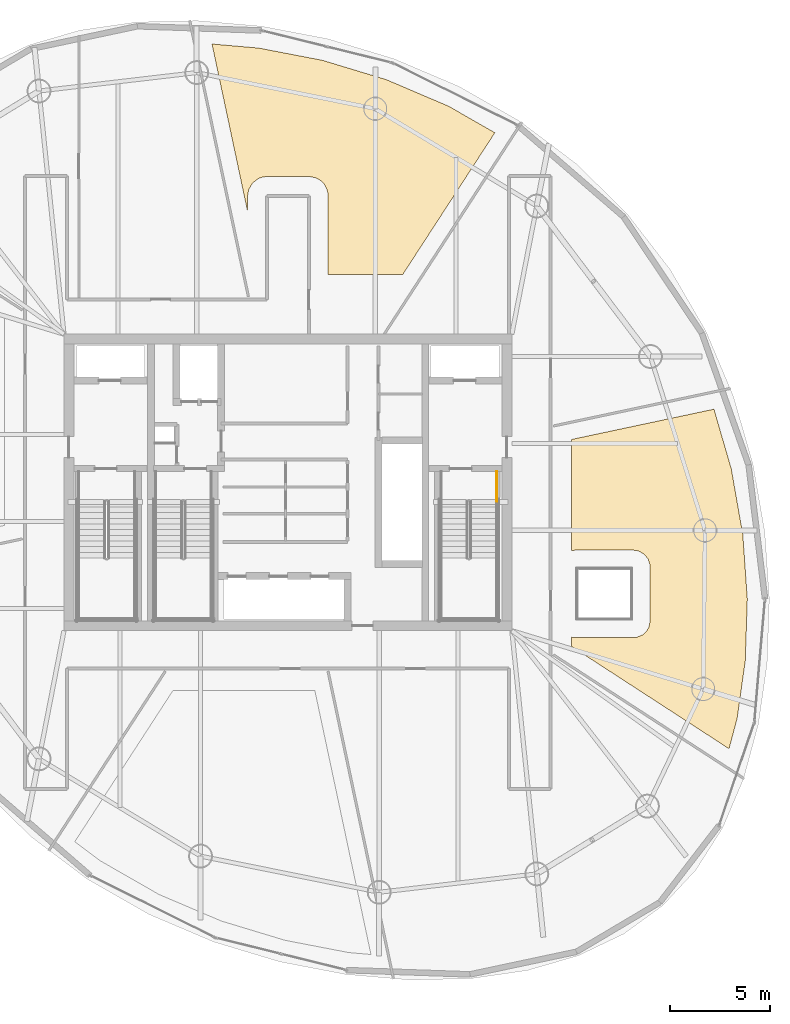
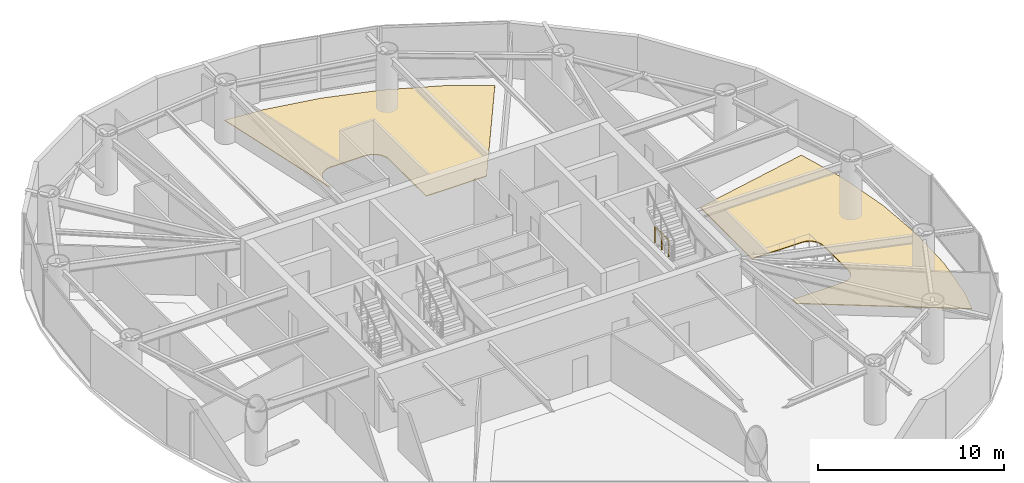
# One storey, part 22 of 22: 2 coverings, 1 railing.
"""IFC4 building model written with IfcOpenShell, lengths in metres."""

from ifc_helpers import new_model, si_unit, direction, frame, origin, origin_2d, place, context, subcontext, project, spatial, polyline, circle, outline, extrude, material, layer, layer_set, type_object, element, save


model = new_model("IFC4")

# Units and contexts
model_context = context("Model", 3, precision=1e-05, world=origin(), true_north=direction((0.0, 1.0)))
body_context = subcontext(model_context, "Body", "Model", "MODEL_VIEW")
ifc_project = project(units=[si_unit("LENGTHUNIT", "METRE"), si_unit("AREAUNIT", "SQUARE_METRE"), si_unit("VOLUMEUNIT", "CUBIC_METRE"), si_unit("PLANEANGLEUNIT", "RADIAN"), si_unit("MASSUNIT", "GRAM", prefix="KILO")], contexts=[model_context])

# Site, building, storey
site_placement = place(None, origin())
site = spatial("IfcSite", under=ifc_project, at=site_placement, CompositionType="ELEMENT")
building_placement = place(site_placement, origin())
building = spatial("IfcBuilding", under=site, at=building_placement, Name="Bramvorn Convention Spire", CompositionType="ELEMENT")
storey_placement = place(building_placement, frame((0.0, 0.0, 225.10009765625)))
storey = spatial("IfcBuildingStorey", under=building, at=storey_placement, Name="L57", CompositionType="ELEMENT", Elevation=225.10009765625)

# Coverings
ifc_material_1 = material(Name="Calcium-Sulphate Raised Access Office Floor", Category="steel")
ifc_layer = layer(ifc_material_1, 0.044921875)
ifc_layer_set = layer_set([ifc_layer], Name="Calcium-Sulphate Raised Access Office Floor - FLR-RAISED-45")
covering_type = type_object("IfcCoveringType", Name="FLR-RAISED-45", PredefinedType="FLOORING", material=ifc_layer_set)
covering_1_placement = place(storey_placement, origin())
element("IfcCovering", 1, at=covering_1_placement, inside=storey, type_object=covering_type, Name="L57 Partner Office Chamber 2 2 raised floor finish", PredefinedType="FLOORING", context=body_context, shape_type="SweptSolid", body=[
    extrude(outline(polyline([(35.97998046875, 39.591552734375), (35.98095703125, 40.441650390625), (36.034912109375, 40.72119140625), (36.227294921875, 41.047119140625), (36.530029296875, 41.274169921875), (36.72021484375, 41.34228515625), (36.949951171875, 41.3701171875), (39.050048828125, 41.3701171875), (39.38232421875, 41.311279296875), (39.623046875, 41.1826171875), (39.825439453125, 40.982421875), (39.961181640625, 40.732421875), (40.01025390625, 40.53662109375), (40.02001953125, 36.449951171875), (43.772705078125, 36.449951171875), (48.395751953125, 43.568603515625), (46.072021484375, 44.900390625), (42.94384765625, 46.234619140625), (39.73779296875, 47.205078125), (36.542236328125, 47.8203125), (34.187255859375, 48.026123046875), (35.97998046875, 39.591552734375)])), origin(), (0.0, 0.0, 1.0), 0.044921875),
])
covering_2_placement = place(storey_placement, origin())
element("IfcCovering", 2, at=covering_2_placement, inside=storey, type_object=covering_type, Name="L57 Deposition Meeting Room 2 8 raised floor finish", PredefinedType="FLOORING", context=body_context, shape_type="SweptSolid", body=[
    extrude(outline(polyline([(52.25, 17.759521484375), (60.159423828125, 12.623046875), (60.563232421875, 14.12890625), (60.9755859375, 17.026123046875), (61.078857421875, 20.13525390625), (60.852294921875, 23.38134765625), (60.27392578125, 26.680908203125), (59.402587890625, 29.680419921875), (52.25, 28.159912109375), (52.25, 22.5751953125), (52.449951171875, 22.60009765625), (55.35009765625, 22.60009765625), (55.5966796875, 22.5634765625), (55.88916015625, 22.406982421875), (56.099609375, 22.150634765625), (56.19580078125, 21.833251953125), (56.199951171875, 19.050048828125), (56.13525390625, 18.724609375), (56.007080078125, 18.5107421875), (55.822265625, 18.34326171875), (55.515869140625, 18.21630859375), (52.449951171875, 18.199951171875), (52.25, 18.224853515625), (52.25, 17.759521484375)])), origin(), (0.0, 0.0, 1.0), 0.044921875),
])

# Railing
ifc_material_2 = material(Name="Painted Steel Balustrade & Guardrail", Category="steel")
railing_type = type_object("IfcRailingType", Name="RL-STAIR-GUARD-1100", PredefinedType="GUARDRAIL", material=ifc_material_2)
railing_placement = place(storey_placement, frame((48.5, 26.550048828125, 0.0)))
element("IfcRailing", 3, at=railing_placement, inside=storey, type_object=railing_type, Name="L57 ST2 stair guard 9", PredefinedType="GUARDRAIL", context=body_context, shape_type="SweptSolid", body=[
    extrude(circle(Radius=0.02392578125, at=origin_2d()), frame((0.0, 0.0, 1.076171875), z_axis=(0.0, -1.0, 0.0), x_axis=(1.0, 0.0, 0.0)), (0.0, 0.0, 1.0), 1.5),
    extrude(circle(Radius=0.02099609375, at=origin_2d()), origin(), (0.0, 0.0, 1.0), 1.052001953125),
    extrude(circle(Radius=0.02099609375, at=origin_2d()), frame((0.0, -0.75, 0.0)), (0.0, 0.0, 1.0), 1.052001953125),
    extrude(circle(Radius=0.02099609375, at=origin_2d()), frame((0.0, -1.5, 0.0)), (0.0, 0.0, 1.0), 1.052001953125),
])

save(model, "model.ifc")
